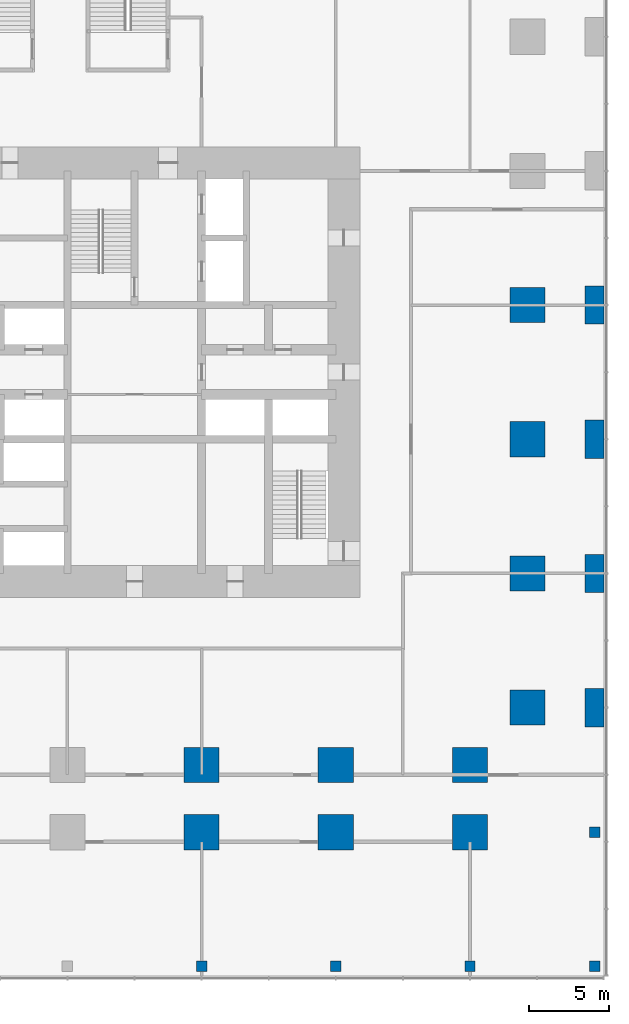
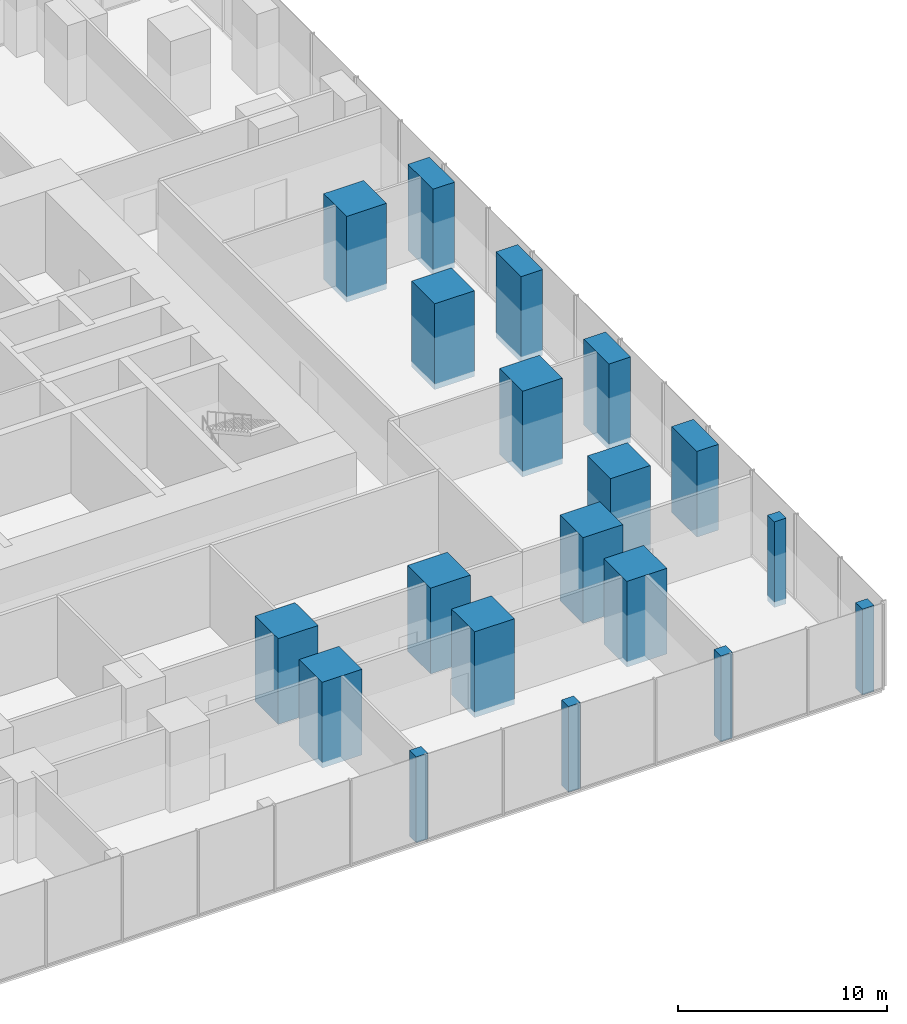
# One storey, part 9 of 33: 19 columns.
"""IFC4 building model written with IfcOpenShell, lengths in metres."""

import ifcopenshell
import ifcopenshell.guid

model = None  # the IFC model being written
_history = None  # IfcOwnerHistory: only IFC2X3 demands one
_inside = {}  # id of a spatial element -> (the spatial element, [elements in it])
_under = {}  # id of a project, library or spatial element -> (it, [spatial elements below it])
_declared = {}  # id of a project -> (the project, [libraries it declares])
_typed = {}  # id of a type object -> (the type object, [elements of that type])
_made_of = {}  # id of a material, layer set ... -> (it, [elements and type objects made of it])


def new_model(schema):
    """Start an empty IFC model of exactly this schema.

    Asked for "IFC4X3", IfcOpenShell would pick the latest addendum, in which some entities
    have other attributes; the version numbers below select the first issue.
    IFC2X3 requires an IfcOwnerHistory on every rooted entity: one is made here for all.
    """
    global model, _history
    if schema == "IFC4X3":
        model = ifcopenshell.file(schema_version=(4, 3, 0, 0))
    else:
        model = ifcopenshell.file(schema=schema)
    _inside.clear()
    _under.clear()
    _declared.clear()
    _typed.clear()
    _made_of.clear()
    _history = None
    if model.schema == "IFC2X3":
        org = make("IfcOrganization", Name="unknown")
        user = make(
            "IfcPersonAndOrganization",
            ThePerson=make("IfcPerson", FamilyName="unknown"),
            TheOrganization=org,
        )
        app = make(
            "IfcApplication",
            ApplicationDeveloper=org,
            Version="unknown",
            ApplicationFullName="unknown",
            ApplicationIdentifier="unknown",
        )
        _history = make(
            "IfcOwnerHistory",
            OwningUser=user,
            OwningApplication=app,
            ChangeAction="ADDED",
            CreationDate=0,
        )
    return model


def make(cls, **values):
    """One entity of the class cls with the attributes given. An attribute that is None is left unset."""
    return model.create_entity(
        cls, **{name: value for name, value in values.items() if value is not None}
    )


def rooted(cls, **values):
    """An entity with a GlobalId (a new one), such as an element, a storey or a relation."""
    return make(cls, GlobalId=ifcopenshell.guid.new(), OwnerHistory=_history, **values)


def si_unit(unit_type, name, prefix=None):
    """IfcSIUnit, for example si_unit("LENGTHUNIT", "METRE", prefix="MILLI")."""
    return make("IfcSIUnit", UnitType=unit_type, Prefix=prefix, Name=name)


def assignment(units):
    """IfcUnitAssignment: the units of a project."""
    return None if units is None else make("IfcUnitAssignment", Units=units)


def point(xyz):
    """IfcCartesianPoint."""
    return None if xyz is None else make("IfcCartesianPoint", Coordinates=xyz)


def direction(xyz):
    """IfcDirection."""
    return None if xyz is None else make("IfcDirection", DirectionRatios=xyz)


def frame(location, z_axis=None, x_axis=None):
    """IfcAxis2Placement3D, a coordinate frame: its origin and axes. An axis left out is left unset."""
    return make(
        "IfcAxis2Placement3D",
        Location=point(location),
        Axis=direction(z_axis),
        RefDirection=direction(x_axis),
    )


def frame_2d(location, x_axis=None):
    """IfcAxis2Placement2D, a coordinate frame in the plane: its origin and x axis."""
    return make(
        "IfcAxis2Placement2D", Location=point(location), RefDirection=direction(x_axis)
    )


def origin():
    """The frame at (0, 0, 0) with its axes left unset."""
    return frame((0.0, 0.0, 0.0))


def origin_2d():
    """The frame at (0, 0) in the plane with its x axis left unset."""
    return frame_2d((0.0, 0.0))


def place(relative_to, where):
    """IfcLocalPlacement: puts the frame where relative to a parent placement (None: the world)."""
    return make(
        "IfcLocalPlacement", PlacementRelTo=relative_to, RelativePlacement=where
    )


def context(
    kind, dimensions, precision=None, world=None, true_north=None, identifier=None
):
    """IfcGeometricRepresentationContext, for example the 3D "Model" context."""
    return make(
        "IfcGeometricRepresentationContext",
        ContextIdentifier=identifier,
        ContextType=kind,
        CoordinateSpaceDimension=dimensions,
        Precision=precision,
        WorldCoordinateSystem=world,
        TrueNorth=true_north,
    )


def subcontext(parent, identifier, kind, view, scale=None):
    """IfcGeometricRepresentationSubContext, for example "Body" below "Model"."""
    return make(
        "IfcGeometricRepresentationSubContext",
        ContextIdentifier=identifier,
        ContextType=kind,
        ParentContext=parent,
        TargetScale=scale,
        TargetView=view,
    )


def project(units=None, contexts=None):
    """IfcProject with its units and contexts."""
    return rooted(
        "IfcProject",
        Name="project",
        RepresentationContexts=contexts,
        UnitsInContext=assignment(units),
    )


def spatial(cls, under=None, at=None, **own):
    """A site, building, storey or space (cls), placed at a placement, below another one or the project."""
    s = rooted(cls, ObjectPlacement=at, **own)
    if under is not None:
        _under.setdefault(under.id(), (under, []))[1].append(s)
    return s


def profile(cls, at=None, kind="AREA", **sizes):
    """A parametric profile (cls). Its sizes go by their IFC names, for example OverallWidth=200.0."""
    return make(cls, ProfileType=kind, Position=at, **sizes)


def rectangle(**sizes):
    """IfcRectangleProfileDef."""
    return profile("IfcRectangleProfileDef", **sizes)


def extrude(swept, where, along, depth):
    """IfcExtrudedAreaSolid: the profile swept, set in the frame where, extruded along a direction by depth."""
    return make(
        "IfcExtrudedAreaSolid",
        SweptArea=swept,
        Position=where,
        ExtrudedDirection=direction(along),
        Depth=depth,
    )


def shape(context_of_items, identifier, shape_type, items):
    """IfcShapeRepresentation: the items that make up one representation, for example the "Body"."""
    return make(
        "IfcShapeRepresentation",
        ContextOfItems=context_of_items,
        RepresentationIdentifier=identifier,
        RepresentationType=shape_type,
        Items=items,
    )


def material(Name=None, Category=None):
    """IfcMaterial."""
    return make("IfcMaterial", Name=Name, Category=Category)


def material_profile(
    of_material, cross_section, Name=None, Category=None, Priority=None
):
    """IfcMaterialProfile: a cross section and its material."""
    return make(
        "IfcMaterialProfile",
        Name=Name,
        Material=of_material,
        Profile=cross_section,
        Priority=Priority,
        Category=Category,
    )


def profile_set(profiles, Name=None, composite=None):
    """IfcMaterialProfileSet."""
    return make(
        "IfcMaterialProfileSet",
        Name=Name,
        MaterialProfiles=profiles,
        CompositeProfile=composite,
    )


def made_of(thing, what):
    """Note that an element or type object is made of a material, layer set ...; save() writes the relation."""
    if what is not None:
        _made_of.setdefault(what.id(), (what, []))[1].append(thing)
    return thing


def type_object(cls, material=None, **own):
    """A type object (cls), such as IfcWallType, which elements share."""
    return made_of(rooted(cls, **own), material)


def element(
    cls,
    number,
    at=None,
    inside=None,
    cuts=None,
    type_object=None,
    material=None,
    context=None,
    identifier="Body",
    shape_type=None,
    held_by="IfcProductDefinitionShape",
    body=None,
    shapes=None,
    **own,
):
    """One element of the class cls, such as IfcWall. Its Tag is "e" and its number.

    at: its placement. inside: the storey or other place that contains it. cuts: it is an
    opening in that element (IfcRelVoidsElement). A single representation is given by context,
    identifier, shape_type and body (its items); several are given by shapes. held_by: the class
    of the entity that holds the representations. save() writes the other relations.
    """
    e = rooted(cls, Tag="e%d" % number, ObjectPlacement=at, **own)
    if body is not None:
        shapes = [shape(context, identifier, shape_type, body)]
    if shapes is not None:
        e.Representation = make(held_by, Representations=shapes)
    if inside is not None:
        _inside.setdefault(inside.id(), (inside, []))[1].append(e)
    if cuts is not None:
        rooted(
            "IfcRelVoidsElement", RelatingBuildingElement=cuts, RelatedOpeningElement=e
        )
    if type_object is not None:
        _typed.setdefault(type_object.id(), (type_object, []))[1].append(e)
    return made_of(e, material)


def aggregate(whole, parts):
    """IfcRelAggregates: a whole, such as a stair, and the parts it consists of."""
    return rooted("IfcRelAggregates", RelatingObject=whole, RelatedObjects=parts)


def save(model, path):
    """Write the relations noted so far, then the file.

    IfcRelAggregates (storeys below a building ...), IfcRelContainedInSpatialStructure (elements
    in a storey), IfcRelDefinesByType, IfcRelAssociatesMaterial and IfcRelDeclares: one each for
    every whole, place, type object, material and project.
    """
    for whole, parts in _under.values():
        aggregate(whole, parts)
    for where, things in _inside.values():
        rooted(
            "IfcRelContainedInSpatialStructure",
            RelatedElements=things,
            RelatingStructure=where,
        )
    for kind, things in _typed.values():
        rooted("IfcRelDefinesByType", RelatedObjects=things, RelatingType=kind)
    for what, things in _made_of.values():
        rooted("IfcRelAssociatesMaterial", RelatedObjects=things, RelatingMaterial=what)
    for by, libraries in _declared.values():
        rooted("IfcRelDeclares", RelatingContext=by, RelatedDefinitions=libraries)
    model.write(path)


model = new_model("IFC4")

# Units and contexts
model_context = context("Model", 3, precision=1e-05, world=origin(), true_north=direction((0.0, 1.0)))
body_context = subcontext(model_context, "Body", "Model", "MODEL_VIEW")
ifc_project = project(units=[si_unit("LENGTHUNIT", "METRE"), si_unit("AREAUNIT", "SQUARE_METRE"), si_unit("VOLUMEUNIT", "CUBIC_METRE"), si_unit("PLANEANGLEUNIT", "RADIAN"), si_unit("MASSUNIT", "GRAM", prefix="KILO")], contexts=[model_context])

# Site, building, storey
site_placement = place(None, origin())
site = spatial("IfcSite", under=ifc_project, at=site_placement, CompositionType="ELEMENT")
building_placement = place(site_placement, origin())
building = spatial("IfcBuilding", under=site, at=building_placement, Name="Dunama Terrace Hotel", CompositionType="ELEMENT")
storey_placement = place(building_placement, frame((0.0, 0.0, 12.0)))
storey = spatial("IfcBuildingStorey", under=building, at=storey_placement, Name="L02", CompositionType="ELEMENT", Elevation=12.0)

# Columns
ifc_material_1 = material(Name="Concrete C60/75", Category="concrete")
ifc_material_profile_1 = material_profile(ifc_material_1, rectangle(XDim=1.199951171875, YDim=2.39990234375, at=origin_2d()), Name="RC 1200x2400")
ifc_profile_set_1 = profile_set([ifc_material_profile_1], Name="Concrete C60/75")
column_type_1 = type_object("IfcColumnType", Name="Column RC 1200x2400", PredefinedType="COLUMN", material=ifc_profile_set_1)
for number, where, z_axis, x_axis, name in (
    (1, (58.199951171875, 8.39990234375, -0.300048828125), (0.0, 0.0, 1.0), (1.0, 0.0, 0.0), "Column L02 +58.2/+8.4"),
    (2, (58.199951171875, 16.800048828125, -0.300048828125), (0.0, 0.0, 1.0), (1.0, 0.0, 0.0), "Column L02 +58.2/+16.8"),
    (3, (58.199951171875, 25.199951171875, -0.300048828125), (0.0, 0.0, 1.0), (1.0, 0.0, 0.0), "Column L02 +58.2/+25.2"),
    (4, (58.199951171875, 33.60009765625, -0.300048828125), (0.0, 0.0, 1.0), (1.0, 0.0, 0.0), "Column L02 +58.2/+33.6"),
):
    element("IfcColumn", number, at=place(storey_placement, frame(where, z_axis=z_axis, x_axis=x_axis)), inside=storey, type_object=column_type_1, Name=name, PredefinedType="COLUMN", context=body_context, shape_type="SweptSolid", body=[
        extrude(rectangle(XDim=1.199951171875, YDim=2.39990234375, at=origin_2d()), origin(), (0.0, 0.0, 1.0), 5.0),
    ])
ifc_material_2 = material(Name="Concrete C60/75", Category="concrete")
ifc_material_profile_2 = material_profile(ifc_material_2, rectangle(XDim=2.199951171875, YDim=2.199951171875, at=origin_2d()), Name="RC 2200x2200")
ifc_profile_set_2 = profile_set([ifc_material_profile_2], Name="Concrete C60/75")
column_type_2 = type_object("IfcColumnType", Name="Column RC 2200x2200", PredefinedType="COLUMN", material=ifc_profile_set_2)
for number, where, z_axis, x_axis, name in (
    (5, (33.60009765625, 0.60009765625, -0.300048828125), (0.0, 0.0, 1.0), (1.0, 0.0, 0.0), "Column L02 +33.6/+0.6"),
    (6, (33.60009765625, 4.800048828125, -0.300048828125), (0.0, 0.0, 1.0), (1.0, 0.0, 0.0), "Column L02 +33.6/+4.8"),
    (7, (42.0, 0.60009765625, -0.300048828125), (0.0, 0.0, 1.0), (1.0, 0.0, 0.0), "Column L02 +42.0/+0.6"),
    (8, (42.0, 4.800048828125, -0.300048828125), (0.0, 0.0, 1.0), (1.0, 0.0, 0.0), "Column L02 +42.0/+4.8"),
    (9, (50.39990234375, 0.60009765625, -0.300048828125), (0.0, 0.0, 1.0), (1.0, 0.0, 0.0), "Column L02 +50.4/+0.6"),
    (10, (50.39990234375, 4.800048828125, -0.300048828125), (0.0, 0.0, 1.0), (1.0, 0.0, 0.0), "Column L02 +50.4/+4.8"),
    (11, (54.0, 8.39990234375, -0.300048828125), (0.0, 0.0, 1.0), (1.0, 0.0, 0.0), "Column L02 +54.0/+8.4"),
    (12, (54.0, 16.800048828125, -0.300048828125), (0.0, 0.0, 1.0), (1.0, 0.0, 0.0), "Column L02 +54.0/+16.8"),
    (13, (54.0, 25.199951171875, -0.300048828125), (0.0, 0.0, 1.0), (1.0, 0.0, 0.0), "Column L02 +54.0/+25.2"),
    (14, (54.0, 33.60009765625, -0.300048828125), (0.0, 0.0, 1.0), (1.0, 0.0, 0.0), "Column L02 +54.0/+33.6"),
):
    element("IfcColumn", number, at=place(storey_placement, frame(where, z_axis=z_axis, x_axis=x_axis)), inside=storey, type_object=column_type_2, Name=name, PredefinedType="COLUMN", context=body_context, shape_type="SweptSolid", body=[
        extrude(rectangle(XDim=2.199951171875, YDim=2.199951171875, at=origin_2d()), origin(), (0.0, 0.0, 1.0), 5.0),
    ])
ifc_material_3 = material(Name="Concrete C40/50", Category="concrete")
ifc_material_profile_3 = material_profile(ifc_material_3, rectangle(XDim=0.64990234375, YDim=0.64990234375, at=origin_2d()), Name="RC 650x650")
ifc_profile_set_3 = profile_set([ifc_material_profile_3], Name="Concrete C40/50")
column_type_3 = type_object("IfcColumnType", Name="Column RC 650x650", PredefinedType="COLUMN", material=ifc_profile_set_3)
for number, where, z_axis, x_axis, name in (
    (15, (33.60009765625, -7.800048828125, -0.300048828125), (0.0, 0.0, 1.0), (1.0, 0.0, 0.0), "Column L02 +33.6/-7.8"),
    (16, (42.0, -7.800048828125, -0.300048828125), (0.0, 0.0, 1.0), (1.0, 0.0, 0.0), "Column L02 +42.0/-7.8"),
    (17, (50.39990234375, -7.800048828125, -0.300048828125), (0.0, 0.0, 1.0), (1.0, 0.0, 0.0), "Column L02 +50.4/-7.8"),
    (18, (58.199951171875, -7.800048828125, -0.300048828125), (0.0, 0.0, 1.0), (1.0, 0.0, 0.0), "Column L02 +58.2/-7.8"),
    (19, (58.199951171875, 0.60009765625, -0.300048828125), (0.0, 0.0, 1.0), (1.0, 0.0, 0.0), "Column L02 +58.2/+0.6"),
):
    element("IfcColumn", number, at=place(storey_placement, frame(where, z_axis=z_axis, x_axis=x_axis)), inside=storey, type_object=column_type_3, Name=name, PredefinedType="COLUMN", context=body_context, shape_type="SweptSolid", body=[
        extrude(rectangle(XDim=0.64990234375, YDim=0.64990234375, at=origin_2d()), origin(), (0.0, 0.0, 1.0), 5.0),
    ])

save(model, "model.ifc")
